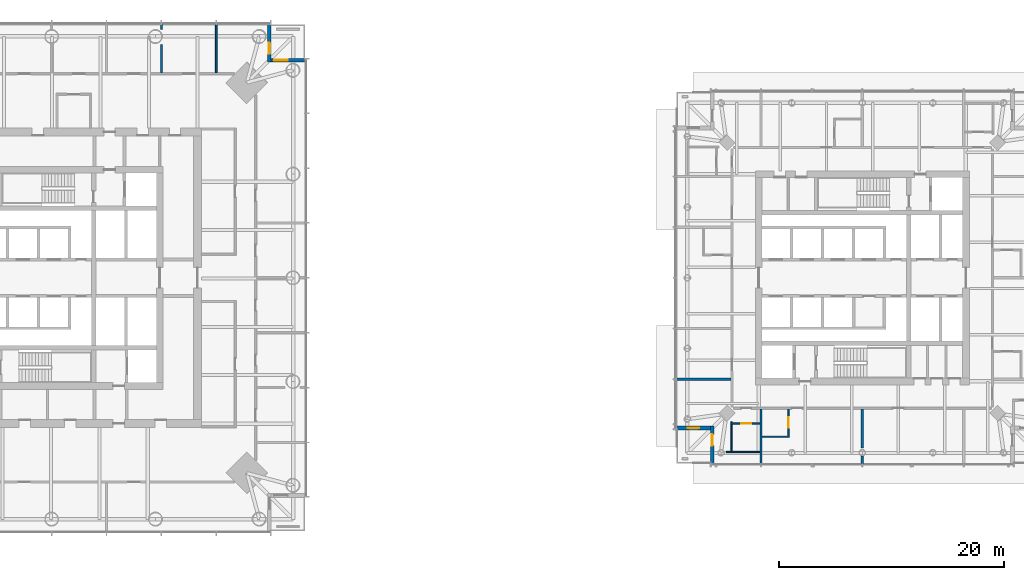
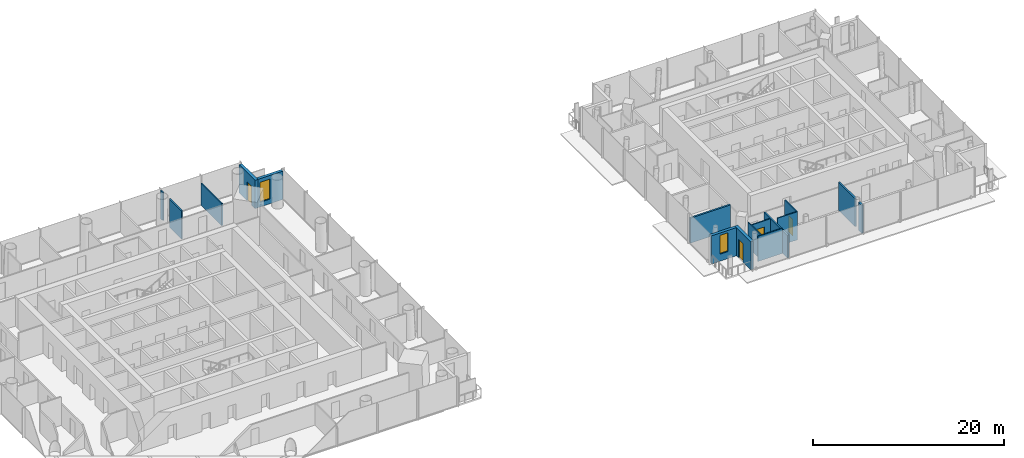
# One storey, part 12 of 20: 16 walls, 4 doors, 2 windows, 6 openings.
"""IFC4 building model written with IfcOpenShell, lengths in metres."""

from ifc_helpers import new_model, si_unit, direction, frame, frame_2d, origin, place, context, subcontext, project, spatial, rectangle, extrude, material, layer, layer_set, type_object, element, fill, save


model = new_model("IFC4")

# Units and contexts
model_context = context("Model", 3, precision=1e-05, world=origin(), true_north=direction((0.0, 1.0)))
body_context = subcontext(model_context, "Body", "Model", "MODEL_VIEW")
ifc_project = project(units=[si_unit("LENGTHUNIT", "METRE"), si_unit("AREAUNIT", "SQUARE_METRE"), si_unit("VOLUMEUNIT", "CUBIC_METRE"), si_unit("PLANEANGLEUNIT", "RADIAN"), si_unit("MASSUNIT", "GRAM", prefix="KILO")], contexts=[model_context])

# Site, building, storey
site_placement = place(None, origin())
site = spatial("IfcSite", under=ifc_project, at=site_placement, CompositionType="ELEMENT")
building_placement = place(site_placement, origin())
building = spatial("IfcBuilding", under=site, at=building_placement, Name="Ostroluk Exchange", CompositionType="ELEMENT")
storey_placement = place(building_placement, frame((0.0, 0.0, 100.800048828125)))
storey = spatial("IfcBuildingStorey", under=building, at=storey_placement, Name="L25", CompositionType="ELEMENT", Elevation=100.800048828125)

# Wall, opening, door
ifc_material_1 = material(Name="Limestone", Category="masonry")
ifc_layer_1 = layer(ifc_material_1, 0.35009765625)
ifc_layer_set_1 = layer_set([ifc_layer_1], Name="Limestone facade wall 350")
wall_type_1 = type_object("IfcWallType", Name="Limestone facade wall 350", PredefinedType="SOLIDWALL", material=ifc_layer_set_1)
wall_1_placement = place(storey_placement, frame((64.324951171875, 68.5, 0.0), z_axis=(0.0, 0.0, 1.0), x_axis=(0.0, -1.0, 0.0)))
wall_1 = element("IfcWall", 1, at=wall_1_placement, inside=storey, type_object=wall_type_1, Name="Office tower NE corner wall L25 a", PredefinedType="SOLIDWALL", context=body_context, shape_type="SweptSolid", body=[
    extrude(rectangle(XDim=3.35009765625, YDim=0.35009765625, at=frame_2d((1.675048828125, 0.0))), origin(), (0.0, 0.0, 1.0), 3.619873046875),
])
opening_1_placement = place(wall_1_placement, frame((1.60009765625, 0.0, 0.0)))
opening_1 = element("IfcOpeningElement", 2, at=opening_1_placement, cuts=wall_1, Name="Opening D-B1", PredefinedType="OPENING", context=body_context, shape_type="SweptSolid", body=[
    extrude(rectangle(XDim=1.0, YDim=2.39990234375, at=frame_2d((0.5, 1.199951171875))), frame((0.0, 0.18505859375, 0.0), z_axis=(0.0, -1.0, 0.0), x_axis=(1.0, 0.0, 0.0)), (0.0, 0.0, 1.0), 0.3701171875),
])
ifc_material_2 = material(Name="Bronze framed glazed door", Category="aluminium")
door_type_1 = type_object("IfcDoorType", Name="Balcony door 1000 x 2400", OperationType="SINGLE_SWING_LEFT", PredefinedType="DOOR", material=ifc_material_2)
door_1_placement = place(opening_1_placement, origin())
door_1 = element("IfcDoor", 3, at=door_1_placement, inside=storey, type_object=door_type_1, Name="Office tower NE balcony door L25", OperationType="SINGLE_SWING_RIGHT", OverallHeight=2.39990234375, OverallWidth=1.0, PredefinedType="DOOR", context=body_context, shape_type="SweptSolid", body=[
    extrude(rectangle(XDim=1.0, YDim=2.39990234375, at=frame_2d((0.5, 1.199951171875))), frame((0.0, 0.02490234375, 0.0), z_axis=(0.0, -1.0, 0.0), x_axis=(1.0, 0.0, 0.0)), (0.0, 0.0, 1.0), 0.050048828125),
])
fill(opening_1, door_1)

# Wall, opening, window
wall_2_placement = place(storey_placement, frame((64.5, 65.324951171875, 0.0), z_axis=(0.0, 0.0, 1.0), x_axis=(1.0, 0.0, 0.0)))
wall_2 = element("IfcWall", 4, at=wall_2_placement, inside=storey, type_object=wall_type_1, Name="Office tower NE corner wall L25 b", PredefinedType="SOLIDWALL", context=body_context, shape_type="SweptSolid", body=[
    extrude(rectangle(XDim=3.0, YDim=0.35009765625, at=frame_2d((1.5, 0.0))), origin(), (0.0, 0.0, 1.0), 3.619873046875),
])
opening_2_placement = place(wall_2_placement, frame((0.25, 0.0, 0.60009765625)))
opening_2 = element("IfcOpeningElement", 5, at=opening_2_placement, cuts=wall_2, Name="Opening WN-L1", PredefinedType="OPENING", context=body_context, shape_type="SweptSolid", body=[
    extrude(rectangle(XDim=1.199951171875, YDim=2.550048828125, at=frame_2d((0.60009765625, 1.27490234375))), frame((0.0, 0.18505859375, 0.0), z_axis=(0.0, -1.0, 0.0), x_axis=(1.0, 0.0, 0.0)), (0.0, 0.0, 1.0), 0.3701171875),
])
ifc_material_3 = material(Name="Laminated clear glass", Category="glass")
window_type_1 = type_object("IfcWindowType", Name="Lancet window 1200 x 2550", PartitioningType="SINGLE_PANEL", PredefinedType="WINDOW", material=ifc_material_3)
window_1_placement = place(opening_2_placement, origin())
window_1 = element("IfcWindow", 6, at=window_1_placement, inside=storey, type_object=window_type_1, Name="Office tower NE lancet window L25", OverallHeight=2.550048828125, OverallWidth=1.199951171875, PartitioningType="SINGLE_PANEL", PredefinedType="WINDOW", context=body_context, shape_type="SweptSolid", body=[
    extrude(rectangle(XDim=1.199951171875, YDim=2.550048828125, at=frame_2d((0.60009765625, 1.27490234375))), frame((0.0, 0.030029296875, 0.0), z_axis=(0.0, -1.0, 0.0), x_axis=(1.0, 0.0, 0.0)), (0.0, 0.0, 1.0), 0.06005859375),
])
fill(opening_2, window_1)

# Wall, opening, door
wall_3_placement = place(storey_placement, frame((103.675048828125, 29.5, 0.0), z_axis=(0.0, 0.0, 1.0), x_axis=(0.0, 1.0, 0.0)))
wall_3 = element("IfcWall", 7, at=wall_3_placement, inside=storey, type_object=wall_type_1, Name="Hotel tower SW corner wall L25 a", PredefinedType="SOLIDWALL", context=body_context, shape_type="SweptSolid", body=[
    extrude(rectangle(XDim=3.35009765625, YDim=0.35009765625, at=frame_2d((1.675048828125, 0.0))), origin(), (0.0, 0.0, 1.0), 3.599853515625),
])
opening_3_placement = place(wall_3_placement, frame((1.60009765625, 0.0, 0.0)))
opening_3 = element("IfcOpeningElement", 8, at=opening_3_placement, cuts=wall_3, Name="Opening D-B1", PredefinedType="OPENING", context=body_context, shape_type="SweptSolid", body=[
    extrude(rectangle(XDim=1.0, YDim=2.39990234375, at=frame_2d((0.5, 1.199951171875))), frame((0.0, 0.18505859375, 0.0), z_axis=(0.0, -1.0, 0.0), x_axis=(1.0, 0.0, 0.0)), (0.0, 0.0, 1.0), 0.3701171875),
])
door_2_placement = place(opening_3_placement, origin())
door_2 = element("IfcDoor", 9, at=door_2_placement, inside=storey, type_object=door_type_1, Name="Hotel tower SW balcony door L25", OperationType="SINGLE_SWING_RIGHT", OverallHeight=2.39990234375, OverallWidth=1.0, PredefinedType="DOOR", context=body_context, shape_type="SweptSolid", body=[
    extrude(rectangle(XDim=1.0, YDim=2.39990234375, at=frame_2d((0.5, 1.199951171875))), frame((0.0, 0.02490234375, 0.0), z_axis=(0.0, -1.0, 0.0), x_axis=(1.0, 0.0, 0.0)), (0.0, 0.0, 1.0), 0.050048828125),
])
fill(opening_3, door_2)

# Wall, opening, window
wall_4_placement = place(storey_placement, frame((103.5, 32.675048828125, 0.0), z_axis=(0.0, 0.0, 1.0), x_axis=(-1.0, 0.0, 0.0)))
wall_4 = element("IfcWall", 10, at=wall_4_placement, inside=storey, type_object=wall_type_1, Name="Hotel tower SW corner wall L25 b", PredefinedType="SOLIDWALL", context=body_context, shape_type="SweptSolid", body=[
    extrude(rectangle(XDim=3.0, YDim=0.35009765625, at=frame_2d((1.5, 0.0))), origin(), (0.0, 0.0, 1.0), 3.599853515625),
])
opening_4_placement = place(wall_4_placement, frame((1.0, 0.0, 0.89990234375)))
opening_4 = element("IfcOpeningElement", 11, at=opening_4_placement, cuts=wall_4, Name="Opening WN-L3", PredefinedType="OPENING", context=body_context, shape_type="SweptSolid", body=[
    extrude(rectangle(XDim=1.0, YDim=2.39990234375, at=frame_2d((0.5, 1.199951171875))), frame((0.0, 0.18505859375, 0.0), z_axis=(0.0, -1.0, 0.0), x_axis=(1.0, 0.0, 0.0)), (0.0, 0.0, 1.0), 0.3701171875),
])
ifc_material_4 = material(Name="Laminated clear glass", Category="glass")
window_type_2 = type_object("IfcWindowType", Name="Hotel lancet window 1000 x 2400", PartitioningType="SINGLE_PANEL", PredefinedType="WINDOW", material=ifc_material_4)
window_2_placement = place(opening_4_placement, origin())
window_2 = element("IfcWindow", 12, at=window_2_placement, inside=storey, type_object=window_type_2, Name="Hotel tower SW lancet window L25", OverallHeight=2.39990234375, OverallWidth=1.0, PartitioningType="SINGLE_PANEL", PredefinedType="WINDOW", context=body_context, shape_type="SweptSolid", body=[
    extrude(rectangle(XDim=1.0, YDim=2.39990234375, at=frame_2d((0.5, 1.199951171875))), frame((0.0, 0.030029296875, 0.0), z_axis=(0.0, -1.0, 0.0), x_axis=(1.0, 0.0, 0.0)), (0.0, 0.0, 1.0), 0.06005859375),
])
fill(opening_4, window_2)

# Wall, opening, door
ifc_material_5 = material(Name="Gypsum plasterboard partition, moisture resistant", Category="gypsum")
ifc_layer_2 = layer(ifc_material_5, 0.1201171875)
ifc_layer_set_2 = layer_set([ifc_layer_2], Name="Plasterboard en-suite wall 120")
wall_type_2 = type_object("IfcWallType", Name="Plasterboard en-suite wall 120", PredefinedType="PARTITIONING", material=ifc_layer_set_2)
wall_5_placement = place(storey_placement, frame((107.89990234375, 33.050048828125, 0.0), z_axis=(0.0, 0.0, 1.0), x_axis=(-1.0, 0.0, 0.0)))
wall_5 = element("IfcWall", 13, at=wall_5_placement, inside=storey, type_object=wall_type_2, Name="En-suite wall", PredefinedType="PARTITIONING", context=body_context, shape_type="SweptSolid", body=[
    extrude(rectangle(XDim=2.579833984375, YDim=0.1201171875, at=frame_2d((1.2900390625, 0.0))), origin(), (0.0, 0.0, 1.0), 2.89990234375),
])
opening_5_placement = place(wall_5_placement, frame((0.75, 0.0, 0.0)))
opening_5 = element("IfcOpeningElement", 14, at=opening_5_placement, cuts=wall_5, Name="Opening D-02", PredefinedType="OPENING", context=body_context, shape_type="SweptSolid", body=[
    extrude(rectangle(XDim=0.89990234375, YDim=2.10009765625, at=frame_2d((0.449951171875, 1.050048828125))), frame((0.0, 0.070068359375, 0.0), z_axis=(0.0, -1.0, 0.0), x_axis=(1.0, 0.0, 0.0)), (0.0, 0.0, 1.0), 0.14013671875),
])
ifc_material_6 = material(Name="Timber", Category="wood")
door_type_2 = type_object("IfcDoorType", Name="En-suite door 900 x 2100", OperationType="SINGLE_SWING_LEFT", PredefinedType="DOOR", material=ifc_material_6)
door_3_placement = place(opening_5_placement, origin())
door_3 = element("IfcDoor", 15, at=door_3_placement, inside=storey, type_object=door_type_2, Name="En-suite door 2507", OperationType="SINGLE_SWING_LEFT", OverallHeight=2.10009765625, OverallWidth=0.89990234375, PredefinedType="DOOR", context=body_context, shape_type="SweptSolid", body=[
    extrude(rectangle(XDim=0.89990234375, YDim=2.10009765625, at=frame_2d((0.449951171875, 1.050048828125))), frame((0.0, 0.02490234375, 0.0), z_axis=(0.0, -1.0, 0.0), x_axis=(1.0, 0.0, 0.0)), (0.0, 0.0, 1.0), 0.050048828125),
])
fill(opening_5, door_3)

# Walls
wall_6_placement = place(storey_placement, frame((107.89990234375, 30.530029296875, 0.0), z_axis=(0.0, 0.0, 1.0), x_axis=(-1.0, 0.0, 0.0)))
element("IfcWall", 16, at=wall_6_placement, inside=storey, type_object=wall_type_2, Name="En-suite wall", PredefinedType="PARTITIONING", context=body_context, shape_type="SweptSolid", body=[
    extrude(rectangle(XDim=2.969970703125, YDim=0.1201171875, at=frame_2d((1.48486328125, 0.0))), origin(), (0.0, 0.0, 1.0), 3.199951171875),
])
wall_7_placement = place(storey_placement, frame((105.3798828125, 33.232666015625, 0.0), z_axis=(0.0, 0.0, 1.0), x_axis=(0.0, -1.0, 0.0)))
element("IfcWall", 17, at=wall_7_placement, inside=storey, type_object=wall_type_2, Name="En-suite wall", PredefinedType="PARTITIONING", context=body_context, shape_type="SweptSolid", body=[
    extrude(rectangle(XDim=2.642578125, YDim=0.1201171875, at=frame_2d((1.3212890625, 0.0))), origin(), (0.0, 0.0, 1.0), 3.199951171875),
])
wall_8_placement = place(storey_placement, frame((108.10009765625, 31.889892578125, 0.0), z_axis=(0.0, 0.0, 1.0), x_axis=(1.0, 0.0, 0.0)))
element("IfcWall", 18, at=wall_8_placement, inside=storey, type_object=wall_type_2, Name="En-suite wall", PredefinedType="PARTITIONING", context=body_context, shape_type="SweptSolid", body=[
    extrude(rectangle(XDim=2.419921875, YDim=0.1201171875, at=frame_2d((1.2099609375, 0.0))), origin(), (0.0, 0.0, 1.0), 3.599853515625),
])

# Wall, opening, door
wall_9_placement = place(storey_placement, frame((110.4599609375, 34.35009765625, 0.0), z_axis=(0.0, 0.0, 1.0), x_axis=(0.0, -1.0, 0.0)))
wall_9 = element("IfcWall", 19, at=wall_9_placement, inside=storey, type_object=wall_type_2, Name="En-suite wall", PredefinedType="PARTITIONING", context=body_context, shape_type="SweptSolid", body=[
    extrude(rectangle(XDim=2.400146484375, YDim=0.1201171875, at=frame_2d((1.2001953125, 0.0))), origin(), (0.0, 0.0, 1.0), 3.599853515625),
])
opening_6_placement = place(wall_9_placement, frame((0.75, 0.0, 0.0)))
opening_6 = element("IfcOpeningElement", 20, at=opening_6_placement, cuts=wall_9, Name="Opening D-02", PredefinedType="OPENING", context=body_context, shape_type="SweptSolid", body=[
    extrude(rectangle(XDim=0.89990234375, YDim=2.10009765625, at=frame_2d((0.449951171875, 1.050048828125))), frame((0.0, 0.070068359375, 0.0), z_axis=(0.0, -1.0, 0.0), x_axis=(1.0, 0.0, 0.0)), (0.0, 0.0, 1.0), 0.14013671875),
])
door_4_placement = place(opening_6_placement, origin())
door_4 = element("IfcDoor", 21, at=door_4_placement, inside=storey, type_object=door_type_2, Name="En-suite door 2508", OperationType="SINGLE_SWING_LEFT", OverallHeight=2.10009765625, OverallWidth=0.89990234375, PredefinedType="DOOR", context=body_context, shape_type="SweptSolid", body=[
    extrude(rectangle(XDim=0.89990234375, YDim=2.10009765625, at=frame_2d((0.449951171875, 1.050048828125))), frame((0.0, 0.02490234375, 0.0), z_axis=(0.0, -1.0, 0.0), x_axis=(1.0, 0.0, 0.0)), (0.0, 0.0, 1.0), 0.050048828125),
])
fill(opening_6, door_4)

# Walls
ifc_material_7 = material(Name="Gypsum plasterboard partition", Category="gypsum")
ifc_layer_3 = layer(ifc_material_7, 0.14990234375)
ifc_layer_set_3 = layer_set([ifc_layer_3], Name="Plasterboard partition 150")
wall_type_3 = type_object("IfcWallType", Name="Plasterboard partition 150", PredefinedType="PARTITIONING", material=ifc_layer_set_3)
wall_10_placement = place(storey_placement, frame((59.625, 64.199951171875, 0.0), z_axis=(0.0, 0.0, 1.0), x_axis=(0.0, 1.0, 0.0)))
element("IfcWall", 22, at=wall_10_placement, inside=storey, type_object=wall_type_3, Name="Partition", PredefinedType="PARTITIONING", context=body_context, shape_type="SweptSolid", body=[
    extrude(rectangle(XDim=4.340087890625, YDim=0.14990234375, at=frame_2d((2.169921875, 0.0))), origin(), (0.0, 0.0, 1.0), 2.820068359375),
])
wall_11_placement = place(storey_placement, frame((54.75, 64.199951171875, 0.0), z_axis=(0.0, 0.0, 1.0), x_axis=(0.0, 1.0, 0.0)))
element("IfcWall", 23, at=wall_11_placement, inside=storey, type_object=wall_type_3, Name="Partition", PredefinedType="PARTITIONING", context=body_context, shape_type="SweptSolid", body=[
    extrude(rectangle(XDim=2.51904296875, YDim=0.14990234375, at=frame_2d((1.259521484375, 0.0))), origin(), (0.0, 0.0, 1.0), 3.619873046875),
])
wall_12_placement = place(storey_placement, frame((54.75, 68.0595703125, 0.0), z_axis=(0.0, 0.0, 1.0), x_axis=(0.0, 1.0, 0.0)))
element("IfcWall", 24, at=wall_12_placement, inside=storey, type_object=wall_type_3, Name="Partition", PredefinedType="PARTITIONING", context=body_context, shape_type="SweptSolid", body=[
    extrude(rectangle(XDim=0.48046875, YDim=0.14990234375, at=frame_2d((0.240234375, 0.0))), origin(), (0.0, 0.0, 1.0), 3.619873046875),
])
ifc_material_8 = material(Name="Gypsum plasterboard partition", Category="gypsum")
ifc_layer_4 = layer(ifc_material_8, 0.199951171875)
ifc_layer_set_4 = layer_set([ifc_layer_4], Name="Plasterboard party wall 200")
wall_type_4 = type_object("IfcWallType", Name="Plasterboard party wall 200", PredefinedType="PARTITIONING", material=ifc_layer_set_4)
wall_13_placement = place(storey_placement, frame((105.35009765625, 37.0, 0.0), z_axis=(0.0, 0.0, 1.0), x_axis=(-1.0, 0.0, 0.0)))
element("IfcWall", 25, at=wall_13_placement, inside=storey, type_object=wall_type_4, Name="Party wall", PredefinedType="PARTITIONING", context=body_context, shape_type="SweptSolid", body=[
    extrude(rectangle(XDim=4.89013671875, YDim=0.199951171875, at=frame_2d((2.445068359375, 0.0))), origin(), (0.0, 0.0, 1.0), 3.199951171875),
])
wall_14_placement = place(storey_placement, frame((108.0, 34.35009765625, 0.0), z_axis=(0.0, 0.0, 1.0), x_axis=(0.0, -1.0, 0.0)))
element("IfcWall", 26, at=wall_14_placement, inside=storey, type_object=wall_type_4, Name="Party wall", PredefinedType="PARTITIONING", context=body_context, shape_type="SweptSolid", body=[
    extrude(rectangle(XDim=4.89013671875, YDim=0.199951171875, at=frame_2d((2.445068359375, 0.0))), origin(), (0.0, 0.0, 1.0), 2.89990234375),
])
wall_15_placement = place(storey_placement, frame((117.0, 34.35009765625, 0.0), z_axis=(0.0, 0.0, 1.0), x_axis=(0.0, -1.0, 0.0)))
element("IfcWall", 27, at=wall_15_placement, inside=storey, type_object=wall_type_4, Name="Party wall", PredefinedType="PARTITIONING", context=body_context, shape_type="SweptSolid", body=[
    extrude(rectangle(XDim=3.467041015625, YDim=0.199951171875, at=frame_2d((1.7333984375, 0.0))), origin(), (0.0, 0.0, 1.0), 3.599853515625),
])
wall_16_placement = place(storey_placement, frame((117.0, 30.16015625, 0.0), z_axis=(0.0, 0.0, 1.0), x_axis=(0.0, -1.0, 0.0)))
element("IfcWall", 28, at=wall_16_placement, inside=storey, type_object=wall_type_4, Name="Party wall", PredefinedType="PARTITIONING", context=body_context, shape_type="SweptSolid", body=[
    extrude(rectangle(XDim=0.7001953125, YDim=0.199951171875, at=frame_2d((0.35009765625, 0.0))), origin(), (0.0, 0.0, 1.0), 3.599853515625),
])

save(model, "model.ifc")
